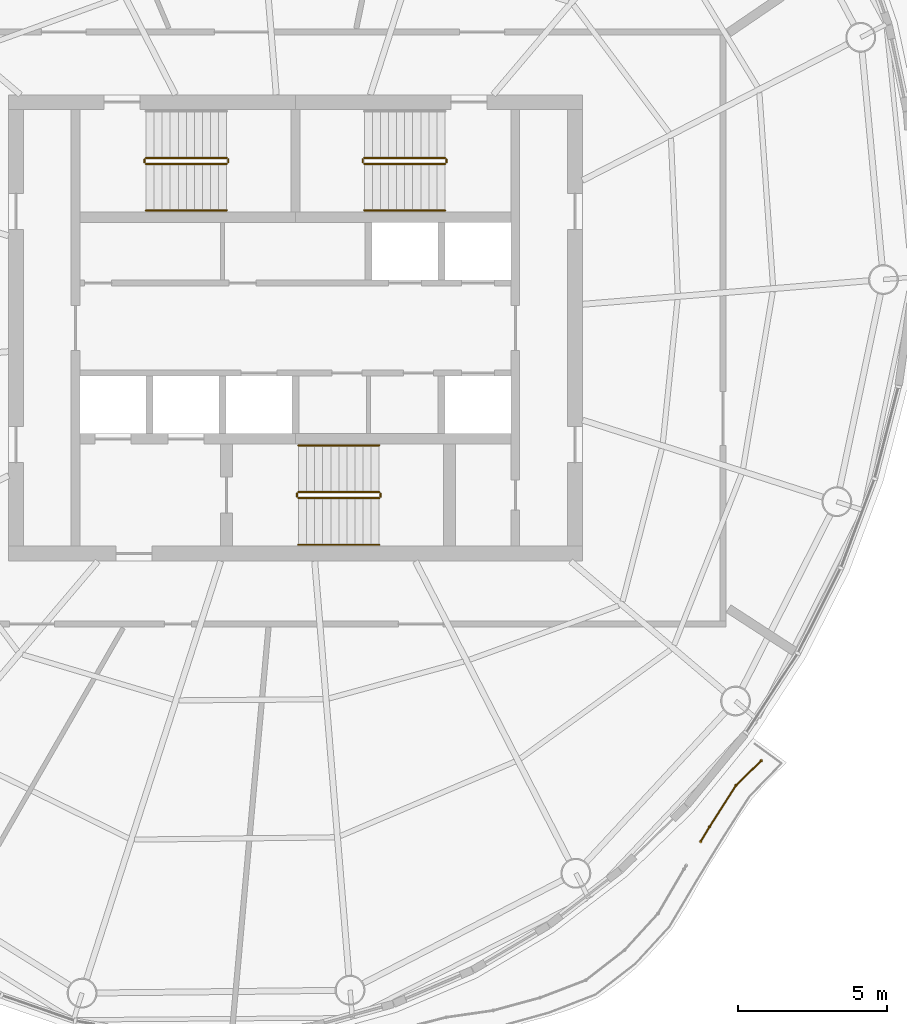
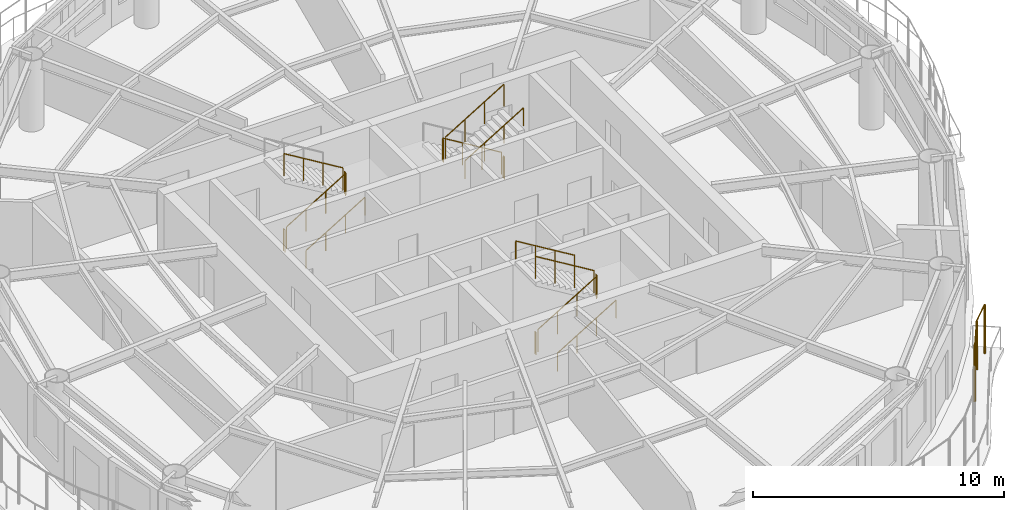
# One storey, part 12 of 13: 17 railings.
"""IFC4 building model written with IfcOpenShell, lengths in metres."""

from ifc_helpers import new_model, si_unit, direction, frame, origin, origin_2d, place, context, subcontext, project, spatial, circle, extrude, material, type_object, element, save


model = new_model("IFC4")

# Units and contexts
model_context = context("Model", 3, precision=1e-05, world=origin(), true_north=direction((0.0, 1.0)))
body_context = subcontext(model_context, "Body", "Model", "MODEL_VIEW")
ifc_project = project(units=[si_unit("LENGTHUNIT", "METRE"), si_unit("AREAUNIT", "SQUARE_METRE"), si_unit("VOLUMEUNIT", "CUBIC_METRE"), si_unit("PLANEANGLEUNIT", "RADIAN"), si_unit("MASSUNIT", "GRAM", prefix="KILO")], contexts=[model_context])

# Site, building, storey
site_placement = place(None, origin())
site = spatial("IfcSite", under=ifc_project, at=site_placement, CompositionType="ELEMENT")
building_placement = place(site_placement, origin())
building = spatial("IfcBuilding", under=site, at=building_placement, Name="Vermilion Reach Broadcast Tower", CompositionType="ELEMENT")
storey_placement = place(building_placement, frame((0.0, 0.0, 297.300048828125)))
storey = spatial("IfcBuildingStorey", under=building, at=storey_placement, Name="L74", CompositionType="ELEMENT", Elevation=297.300048828125)

# Railings
ifc_material_1 = material(Name="Terracotta baguette", Category="masonry")
railing_type_1 = type_object("IfcRailingType", Name="BAGUETTE SCREEN", PredefinedType="USERDEFINED", material=ifc_material_1)
railing_1_placement = place(storey_placement, frame((7.553466796875, -17.1708984375, 0.0)))
element("IfcRailing", 1, at=railing_1_placement, inside=storey, type_object=railing_type_1, Name="Baguette screen L74 group 3 part 3", ObjectType="BAGUETTE SCREEN", PredefinedType="USERDEFINED", context=body_context, shape_type="SweptSolid", body=[
    extrude(circle(Radius=0.030029296875, at=origin_2d()), frame((0.0, 0.0, 2.369873046875), z_axis=(0.518197565315, 0.855260944567, 0.0), x_axis=(-0.855260944567, 0.518197565315, 0.0)), (0.0, 0.0, 1.0), 0.571533203125),
    extrude(circle(Radius=0.030029296875, at=origin_2d()), frame((0.296142578125, 0.48876953125, 2.369873046875), z_axis=(0.537934218743, 0.842986818583, 0.0), x_axis=(-0.842986818583, 0.537934218743, 0.0)), (0.0, 0.0, 1.0), 1.640625),
    extrude(circle(Radius=0.030029296875, at=origin_2d()), frame((1.1787109375, 1.871826171875, 2.369873046875), z_axis=(0.715015848512, 0.699108243677, 0.0), x_axis=(-0.699108243677, 0.715015848512, 0.0)), (0.0, 0.0, 1.0), 1.181640625),
    extrude(circle(Radius=0.050048828125, at=origin_2d()), origin(), (0.0, 0.0, 1.0), 2.33984375),
    extrude(circle(Radius=0.050048828125, at=origin_2d()), frame((0.296142578125, 0.48876953125, 0.0)), (0.0, 0.0, 1.0), 2.33984375),
    extrude(circle(Radius=0.050048828125, at=origin_2d()), frame((1.1787109375, 1.871826171875, 0.0)), (0.0, 0.0, 1.0), 2.33984375),
    extrude(circle(Radius=0.050048828125, at=origin_2d()), frame((2.023681640625, 2.697998046875, 0.0)), (0.0, 0.0, 1.0), 2.33984375),
])
ifc_material_2 = material(Name="Stainless steel", Category="steel")
railing_type_2 = type_object("IfcRailingType", Name="Stair guard 1100", PredefinedType="GUARDRAIL", material=ifc_material_2)
railing_2_placement = place(storey_placement, frame((-11.0, 5.489990234375, 0.16357421875)))
element("IfcRailing", 2, at=railing_2_placement, inside=storey, type_object=railing_type_2, Name="L74 ST1 stair guard 1", PredefinedType="GUARDRAIL", context=body_context, shape_type="SweptSolid", body=[
    extrude(circle(Radius=0.02392578125, at=origin_2d()), frame((0.0, 0.0, 1.076171875), z_axis=(0.855178096276, 0.0, 0.518334277904), x_axis=(0.0, 1.0, 0.0)), (0.0, 0.0, 1.0), 3.1572265625),
    extrude(circle(Radius=0.02099609375, at=origin_2d()), origin(), (0.0, 0.0, 1.0), 1.052001953125),
    extrude(circle(Radius=0.02099609375, at=origin_2d()), frame((0.89990234375, 0.0, 0.54541015625)), (0.0, 0.0, 1.0), 1.052001953125),
    extrude(circle(Radius=0.02099609375, at=origin_2d()), frame((1.800048828125, 0.0, 1.091064453125)), (0.0, 0.0, 1.0), 1.052001953125),
    extrude(circle(Radius=0.02099609375, at=origin_2d()), frame((2.699951171875, 0.0, 1.636474609375)), (0.0, 0.0, 1.0), 1.052001953125),
])
railing_3_placement = place(storey_placement, frame((-8.25, 5.5400390625, 1.800048828125)))
element("IfcRailing", 3, at=railing_3_placement, inside=storey, type_object=railing_type_2, Name="L74 ST1 stair guard 2", PredefinedType="GUARDRAIL", context=body_context, shape_type="SweptSolid", body=[
    extrude(circle(Radius=0.02392578125, at=origin_2d()), frame((0.0, 0.0, 1.076171875), z_axis=(0.0, 1.0, 0.0), x_axis=(-1.0, 0.0, 0.0)), (0.0, 0.0, 1.0), 0.099853515625),
    extrude(circle(Radius=0.02099609375, at=origin_2d()), origin(), (0.0, 0.0, 1.0), 1.052001953125),
    extrude(circle(Radius=0.02099609375, at=origin_2d()), frame((0.0, 0.099853515625, 0.0)), (0.0, 0.0, 1.0), 1.052001953125),
])
railing_4_placement = place(storey_placement, frame((-8.300048828125, 5.68994140625, 1.963623046875)))
element("IfcRailing", 4, at=railing_4_placement, inside=storey, type_object=railing_type_2, Name="L74 ST1 stair guard 3", PredefinedType="GUARDRAIL", context=body_context, shape_type="SweptSolid", body=[
    extrude(circle(Radius=0.02392578125, at=origin_2d()), frame((0.0, 0.0, 1.076171875), z_axis=(-0.855212373127, 0.0, 0.518277721738), x_axis=(0.0, -1.0, 0.0)), (0.0, 0.0, 1.0), 3.156982421875),
    extrude(circle(Radius=0.02099609375, at=origin_2d()), origin(), (0.0, 0.0, 1.0), 1.052001953125),
    extrude(circle(Radius=0.02099609375, at=origin_2d()), frame((-0.89990234375, 0.0, 0.54541015625)), (0.0, 0.0, 1.0), 1.052001953125),
    extrude(circle(Radius=0.02099609375, at=origin_2d()), frame((-1.800048828125, 0.0, 1.0908203125)), (0.0, 0.0, 1.0), 1.052001953125),
    extrude(circle(Radius=0.02099609375, at=origin_2d()), frame((-2.699951171875, 0.0, 1.63623046875)), (0.0, 0.0, 1.0), 1.052001953125),
])
railing_5_placement = place(storey_placement, frame((-11.050048828125, 5.5400390625, 0.0)))
element("IfcRailing", 5, at=railing_5_placement, inside=storey, type_object=railing_type_2, Name="L74 ST1 stair guard 4", PredefinedType="GUARDRAIL", context=body_context, shape_type="SweptSolid", body=[
    extrude(circle(Radius=0.02392578125, at=origin_2d()), frame((0.0, 0.0, 1.076171875), z_axis=(0.0, 1.0, 0.0), x_axis=(-1.0, 0.0, 0.0)), (0.0, 0.0, 1.0), 0.099853515625),
    extrude(circle(Radius=0.02099609375, at=origin_2d()), origin(), (0.0, 0.0, 1.0), 1.052001953125),
    extrude(circle(Radius=0.02099609375, at=origin_2d()), frame((0.0, 0.099853515625, 0.0)), (0.0, 0.0, 1.0), 1.052001953125),
])
railing_6_placement = place(storey_placement, frame((-1.0, 5.68994140625, 0.16357421875)))
element("IfcRailing", 6, at=railing_6_placement, inside=storey, type_object=railing_type_2, Name="L74 ST2 stair guard 1", PredefinedType="GUARDRAIL", context=body_context, shape_type="SweptSolid", body=[
    extrude(circle(Radius=0.02392578125, at=origin_2d()), frame((0.0, 0.0, 1.076171875), z_axis=(-0.855178096276, 0.0, 0.518334277904), x_axis=(0.0, -1.0, 0.0)), (0.0, 0.0, 1.0), 3.1572265625),
    extrude(circle(Radius=0.02099609375, at=origin_2d()), origin(), (0.0, 0.0, 1.0), 1.052001953125),
    extrude(circle(Radius=0.02099609375, at=origin_2d()), frame((-0.89990234375, 0.0, 0.54541015625)), (0.0, 0.0, 1.0), 1.052001953125),
    extrude(circle(Radius=0.02099609375, at=origin_2d()), frame((-1.800048828125, 0.0, 1.091064453125)), (0.0, 0.0, 1.0), 1.052001953125),
    extrude(circle(Radius=0.02099609375, at=origin_2d()), frame((-2.699951171875, 0.0, 1.636474609375)), (0.0, 0.0, 1.0), 1.052001953125),
])
railing_7_placement = place(storey_placement, frame((-3.75, 5.639892578125, 1.800048828125)))
element("IfcRailing", 7, at=railing_7_placement, inside=storey, type_object=railing_type_2, Name="L74 ST2 stair guard 2", PredefinedType="GUARDRAIL", context=body_context, shape_type="SweptSolid", body=[
    extrude(circle(Radius=0.02392578125, at=origin_2d()), frame((0.0, 0.0, 1.076171875), z_axis=(0.0, -1.0, 0.0), x_axis=(1.0, 0.0, 0.0)), (0.0, 0.0, 1.0), 0.099853515625),
    extrude(circle(Radius=0.02099609375, at=origin_2d()), origin(), (0.0, 0.0, 1.0), 1.052001953125),
    extrude(circle(Radius=0.02099609375, at=origin_2d()), frame((0.0, -0.099853515625, 0.0)), (0.0, 0.0, 1.0), 1.052001953125),
])
railing_8_placement = place(storey_placement, frame((-3.699951171875, 5.489990234375, 1.963623046875)))
element("IfcRailing", 8, at=railing_8_placement, inside=storey, type_object=railing_type_2, Name="L74 ST2 stair guard 3", PredefinedType="GUARDRAIL", context=body_context, shape_type="SweptSolid", body=[
    extrude(circle(Radius=0.02392578125, at=origin_2d()), frame((0.0, 0.0, 1.076171875), z_axis=(0.855212373127, 0.0, 0.518277721738), x_axis=(0.0, 1.0, 0.0)), (0.0, 0.0, 1.0), 3.156982421875),
    extrude(circle(Radius=0.02099609375, at=origin_2d()), origin(), (0.0, 0.0, 1.0), 1.052001953125),
    extrude(circle(Radius=0.02099609375, at=origin_2d()), frame((0.89990234375, 0.0, 0.54541015625)), (0.0, 0.0, 1.0), 1.052001953125),
    extrude(circle(Radius=0.02099609375, at=origin_2d()), frame((1.800048828125, 0.0, 1.0908203125)), (0.0, 0.0, 1.0), 1.052001953125),
    extrude(circle(Radius=0.02099609375, at=origin_2d()), frame((2.699951171875, 0.0, 1.63623046875)), (0.0, 0.0, 1.0), 1.052001953125),
])
railing_9_placement = place(storey_placement, frame((-0.949951171875, 5.639892578125, 0.0)))
element("IfcRailing", 9, at=railing_9_placement, inside=storey, type_object=railing_type_2, Name="L74 ST2 stair guard 4", PredefinedType="GUARDRAIL", context=body_context, shape_type="SweptSolid", body=[
    extrude(circle(Radius=0.02392578125, at=origin_2d()), frame((0.0, 0.0, 1.076171875), z_axis=(0.0, -1.0, 0.0), x_axis=(1.0, 0.0, 0.0)), (0.0, 0.0, 1.0), 0.099853515625),
    extrude(circle(Radius=0.02099609375, at=origin_2d()), origin(), (0.0, 0.0, 1.0), 1.052001953125),
    extrude(circle(Radius=0.02099609375, at=origin_2d()), frame((0.0, -0.099853515625, 0.0)), (0.0, 0.0, 1.0), 1.052001953125),
])
railing_10_placement = place(storey_placement, frame((-5.89990234375, -5.68994140625, 0.16357421875)))
element("IfcRailing", 10, at=railing_10_placement, inside=storey, type_object=railing_type_2, Name="L74 ST3 stair guard 1", PredefinedType="GUARDRAIL", context=body_context, shape_type="SweptSolid", body=[
    extrude(circle(Radius=0.02392578125, at=origin_2d()), frame((0.0, 0.0, 1.076171875), z_axis=(0.855178096276, 0.0, 0.518334277904), x_axis=(0.0, 1.0, 0.0)), (0.0, 0.0, 1.0), 3.1572265625),
    extrude(circle(Radius=0.02099609375, at=origin_2d()), origin(), (0.0, 0.0, 1.0), 1.052001953125),
    extrude(circle(Radius=0.02099609375, at=origin_2d()), frame((0.89990234375, 0.0, 0.54541015625)), (0.0, 0.0, 1.0), 1.052001953125),
    extrude(circle(Radius=0.02099609375, at=origin_2d()), frame((1.800048828125, 0.0, 1.091064453125)), (0.0, 0.0, 1.0), 1.052001953125),
    extrude(circle(Radius=0.02099609375, at=origin_2d()), frame((2.699951171875, 0.0, 1.636474609375)), (0.0, 0.0, 1.0), 1.052001953125),
])
railing_11_placement = place(storey_placement, frame((-3.14990234375, -5.639892578125, 1.800048828125)))
element("IfcRailing", 11, at=railing_11_placement, inside=storey, type_object=railing_type_2, Name="L74 ST3 stair guard 2", PredefinedType="GUARDRAIL", context=body_context, shape_type="SweptSolid", body=[
    extrude(circle(Radius=0.02392578125, at=origin_2d()), frame((0.0, 0.0, 1.076171875), z_axis=(0.0, 1.0, 0.0), x_axis=(-1.0, 0.0, 0.0)), (0.0, 0.0, 1.0), 0.099853515625),
    extrude(circle(Radius=0.02099609375, at=origin_2d()), origin(), (0.0, 0.0, 1.0), 1.052001953125),
    extrude(circle(Radius=0.02099609375, at=origin_2d()), frame((0.0, 0.099853515625, 0.0)), (0.0, 0.0, 1.0), 1.052001953125),
])
railing_12_placement = place(storey_placement, frame((-3.199951171875, -5.489990234375, 1.963623046875)))
element("IfcRailing", 12, at=railing_12_placement, inside=storey, type_object=railing_type_2, Name="L74 ST3 stair guard 3", PredefinedType="GUARDRAIL", context=body_context, shape_type="SweptSolid", body=[
    extrude(circle(Radius=0.02392578125, at=origin_2d()), frame((0.0, 0.0, 1.076171875), z_axis=(-0.855212373127, 0.0, 0.518277721738), x_axis=(0.0, -1.0, 0.0)), (0.0, 0.0, 1.0), 3.156982421875),
    extrude(circle(Radius=0.02099609375, at=origin_2d()), origin(), (0.0, 0.0, 1.0), 1.052001953125),
    extrude(circle(Radius=0.02099609375, at=origin_2d()), frame((-0.89990234375, 0.0, 0.54541015625)), (0.0, 0.0, 1.0), 1.052001953125),
    extrude(circle(Radius=0.02099609375, at=origin_2d()), frame((-1.800048828125, 0.0, 1.0908203125)), (0.0, 0.0, 1.0), 1.052001953125),
    extrude(circle(Radius=0.02099609375, at=origin_2d()), frame((-2.699951171875, 0.0, 1.63623046875)), (0.0, 0.0, 1.0), 1.052001953125),
])
railing_13_placement = place(storey_placement, frame((-5.949951171875, -5.639892578125, 0.0)))
element("IfcRailing", 13, at=railing_13_placement, inside=storey, type_object=railing_type_2, Name="L74 ST3 stair guard 4", PredefinedType="GUARDRAIL", context=body_context, shape_type="SweptSolid", body=[
    extrude(circle(Radius=0.02392578125, at=origin_2d()), frame((0.0, 0.0, 1.076171875), z_axis=(0.0, 1.0, 0.0), x_axis=(-1.0, 0.0, 0.0)), (0.0, 0.0, 1.0), 0.099853515625),
    extrude(circle(Radius=0.02099609375, at=origin_2d()), origin(), (0.0, 0.0, 1.0), 1.052001953125),
    extrude(circle(Radius=0.02099609375, at=origin_2d()), frame((0.0, 0.099853515625, 0.0)), (0.0, 0.0, 1.0), 1.052001953125),
])
ifc_material_3 = material(Name="Stainless steel", Category="steel")
railing_type_3 = type_object("IfcRailingType", Name="Stair handrail", PredefinedType="HANDRAIL", material=ifc_material_3)
railing_14_placement = place(storey_placement, frame((-11.0, 3.929931640625, 0.16357421875)))
element("IfcRailing", 14, at=railing_14_placement, inside=storey, type_object=railing_type_3, Name="L74 ST1 stair handrail 1", PredefinedType="HANDRAIL", context=body_context, shape_type="SweptSolid", body=[
    extrude(circle(Radius=0.02392578125, at=origin_2d()), frame((0.0, 0.0, 0.8759765625), z_axis=(0.855178096276, 0.0, 0.518334277904), x_axis=(0.0, 1.0, 0.0)), (0.0, 0.0, 1.0), 3.1572265625),
    extrude(circle(Radius=0.02099609375, at=origin_2d()), origin(), (0.0, 0.0, 1.0), 0.851806640625),
    extrude(circle(Radius=0.02099609375, at=origin_2d()), frame((0.89990234375, 0.0, 0.54541015625)), (0.0, 0.0, 1.0), 0.851806640625),
    extrude(circle(Radius=0.02099609375, at=origin_2d()), frame((1.800048828125, 0.0, 1.091064453125)), (0.0, 0.0, 1.0), 0.851806640625),
    extrude(circle(Radius=0.02099609375, at=origin_2d()), frame((2.699951171875, 0.0, 1.636474609375)), (0.0, 0.0, 1.0), 0.851806640625),
])
railing_15_placement = place(storey_placement, frame((-3.699951171875, 3.929931640625, 1.963623046875)))
element("IfcRailing", 15, at=railing_15_placement, inside=storey, type_object=railing_type_3, Name="L74 ST2 stair handrail 2", PredefinedType="HANDRAIL", context=body_context, shape_type="SweptSolid", body=[
    extrude(circle(Radius=0.02392578125, at=origin_2d()), frame((0.0, 0.0, 0.8759765625), z_axis=(0.855212373127, 0.0, 0.518277721738), x_axis=(0.0, 1.0, 0.0)), (0.0, 0.0, 1.0), 3.156982421875),
    extrude(circle(Radius=0.02099609375, at=origin_2d()), origin(), (0.0, 0.0, 1.0), 0.851806640625),
    extrude(circle(Radius=0.02099609375, at=origin_2d()), frame((0.89990234375, 0.0, 0.54541015625)), (0.0, 0.0, 1.0), 0.851806640625),
    extrude(circle(Radius=0.02099609375, at=origin_2d()), frame((1.800048828125, 0.0, 1.0908203125)), (0.0, 0.0, 1.0), 0.851806640625),
    extrude(circle(Radius=0.02099609375, at=origin_2d()), frame((2.699951171875, 0.0, 1.63623046875)), (0.0, 0.0, 1.0), 0.851806640625),
])
railing_16_placement = place(storey_placement, frame((-5.89990234375, -7.25, 0.16357421875)))
element("IfcRailing", 16, at=railing_16_placement, inside=storey, type_object=railing_type_3, Name="L74 ST3 stair handrail 1", PredefinedType="HANDRAIL", context=body_context, shape_type="SweptSolid", body=[
    extrude(circle(Radius=0.02392578125, at=origin_2d()), frame((0.0, 0.0, 0.8759765625), z_axis=(0.855178096276, 0.0, 0.518334277904), x_axis=(0.0, 1.0, 0.0)), (0.0, 0.0, 1.0), 3.1572265625),
    extrude(circle(Radius=0.02099609375, at=origin_2d()), origin(), (0.0, 0.0, 1.0), 0.851806640625),
    extrude(circle(Radius=0.02099609375, at=origin_2d()), frame((0.89990234375, 0.0, 0.54541015625)), (0.0, 0.0, 1.0), 0.851806640625),
    extrude(circle(Radius=0.02099609375, at=origin_2d()), frame((1.800048828125, 0.0, 1.091064453125)), (0.0, 0.0, 1.0), 0.851806640625),
    extrude(circle(Radius=0.02099609375, at=origin_2d()), frame((2.699951171875, 0.0, 1.636474609375)), (0.0, 0.0, 1.0), 0.851806640625),
])
railing_17_placement = place(storey_placement, frame((-3.199951171875, -3.929931640625, 1.963623046875)))
element("IfcRailing", 17, at=railing_17_placement, inside=storey, type_object=railing_type_3, Name="L74 ST3 stair handrail 2", PredefinedType="HANDRAIL", context=body_context, shape_type="SweptSolid", body=[
    extrude(circle(Radius=0.02392578125, at=origin_2d()), frame((0.0, 0.0, 0.8759765625), z_axis=(-0.855212373127, 0.0, 0.518277721738), x_axis=(0.0, -1.0, 0.0)), (0.0, 0.0, 1.0), 3.156982421875),
    extrude(circle(Radius=0.02099609375, at=origin_2d()), origin(), (0.0, 0.0, 1.0), 0.851806640625),
    extrude(circle(Radius=0.02099609375, at=origin_2d()), frame((-0.89990234375, 0.0, 0.54541015625)), (0.0, 0.0, 1.0), 0.851806640625),
    extrude(circle(Radius=0.02099609375, at=origin_2d()), frame((-1.800048828125, 0.0, 1.0908203125)), (0.0, 0.0, 1.0), 0.851806640625),
    extrude(circle(Radius=0.02099609375, at=origin_2d()), frame((-2.699951171875, 0.0, 1.63623046875)), (0.0, 0.0, 1.0), 0.851806640625),
])

save(model, "model.ifc")
